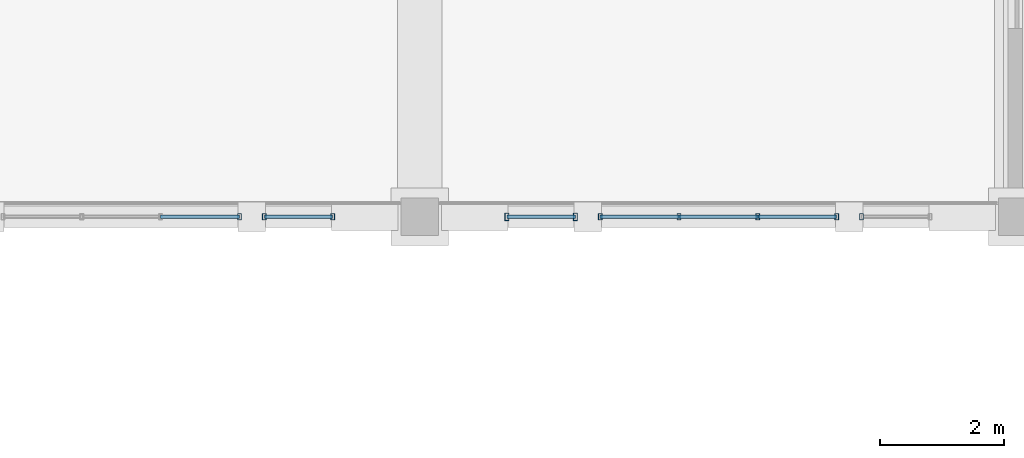
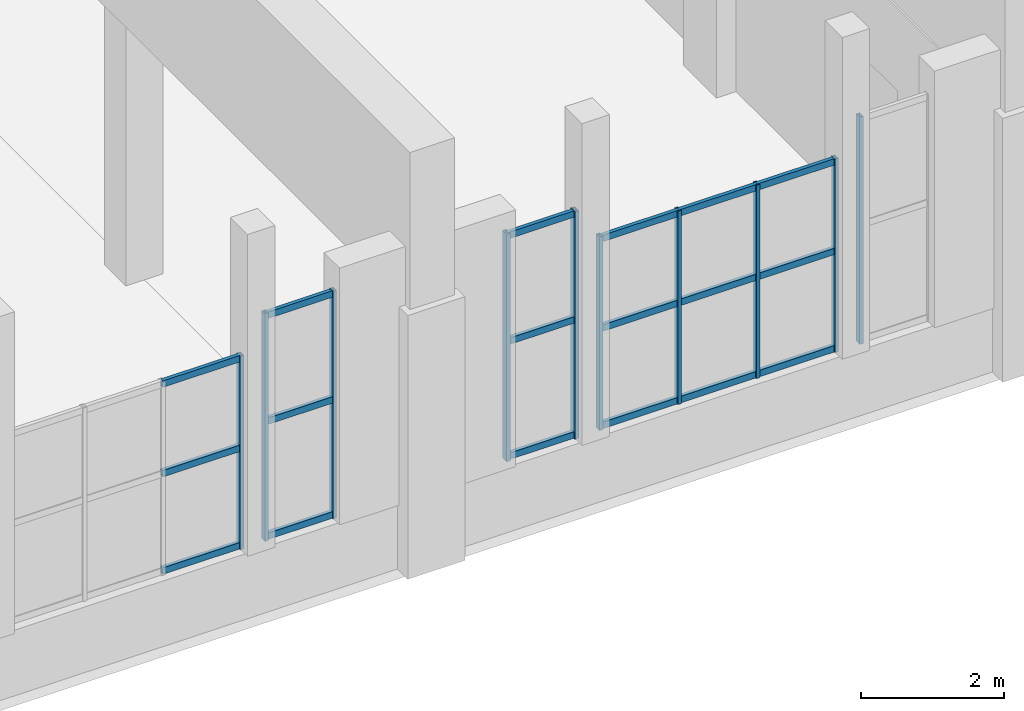
# One storey, part 11 of 46: 28 members, 5 elements without a shape of their own.
"""IFC4 building model written with IfcOpenShell, lengths in metres."""

from ifc_helpers import new_model, si_unit, direction, frame, origin, origin_2d, place, context, subcontext, project, spatial, hollow_rectangle, extrude, material, material_profile, profile_set, type_object, element, aggregate, save


model = new_model("IFC4")

# Units and contexts
model_context = context("Model", 3, precision=1e-05, world=origin(), true_north=direction((0.0, 1.0)))
body_context = subcontext(model_context, "Body", "Model", "MODEL_VIEW")
ifc_project = project(units=[si_unit("LENGTHUNIT", "METRE"), si_unit("AREAUNIT", "SQUARE_METRE"), si_unit("VOLUMEUNIT", "CUBIC_METRE"), si_unit("PLANEANGLEUNIT", "RADIAN"), si_unit("MASSUNIT", "GRAM", prefix="KILO")], contexts=[model_context])

# Site, building, storey
site_placement = place(None, origin())
site = spatial("IfcSite", under=ifc_project, at=site_placement, CompositionType="ELEMENT")
building_placement = place(site_placement, origin())
building = spatial("IfcBuilding", under=site, at=building_placement, Name="Mavantir Sound Aquarium", CompositionType="ELEMENT")
storey_placement = place(building_placement, frame((0.0, 0.0, 15.300048828125)))
storey = spatial("IfcBuildingStorey", under=building, at=storey_placement, Name="L03", CompositionType="ELEMENT", Elevation=15.300048828125)

# Curtain wall, member
ifc_material_1 = material(Name="Anodised Marine Aluminium and Low-E Glass", Category="aluminium")
curtain_wall_type_1 = type_object("IfcCurtainWallType", Name="CW-T04", PredefinedType="USERDEFINED", material=ifc_material_1)
curtain_wall_1_placement = place(storey_placement, origin())
curtain_wall_1 = element("IfcCurtainWall", 1, at=curtain_wall_1_placement, inside=storey, type_object=curtain_wall_type_1, Name="L03 unitised curtain wall CW-04 171", ObjectType="UNITISED GLAZING", PredefinedType="USERDEFINED")
ifc_material_2 = material(Name="Anodised Marine Aluminium 6063-T6", Category="aluminium")
ifc_material_profile_1 = material_profile(ifc_material_2, hollow_rectangle(XDim=0.06005859375, YDim=0.10009765625, WallThickness=0.00390625, at=origin_2d()), Name="ALU-MULLION-100X60")
ifc_profile_set_1 = profile_set([ifc_material_profile_1], Name="Anodised Marine Aluminium 6063-T6")
member_type_1 = type_object("IfcMemberType", Name="CW-MUL-100", PredefinedType="MULLION", material=ifc_profile_set_1)
member_1_placement = place(storey_placement, frame((162.699951171875, 40.800048828125, 1.119873046875), z_axis=(0.0, 0.0, 1.0), x_axis=(1.0, 0.0, 0.0)))
member_1 = element("IfcMember", 2, at=member_1_placement, type_object=member_type_1, Name="CW-DIOC-6S-C vertical mullion 4", PredefinedType="MULLION", context=body_context, shape_type="SweptSolid", body=[
    extrude(hollow_rectangle(XDim=0.06005859375, YDim=0.10009765625, WallThickness=0.00390625, at=origin_2d()), origin(), (0.0, 0.0, 1.0), 3.300048828125),
])

# Curtain wall, members
curtain_wall_type_2 = type_object("IfcCurtainWallType", Name="CW-T06", PredefinedType="USERDEFINED", material=ifc_material_1)
curtain_wall_2_placement = place(storey_placement, origin())
curtain_wall_2 = element("IfcCurtainWall", 3, at=curtain_wall_2_placement, inside=storey, type_object=curtain_wall_type_2, Name="L03 unitised curtain wall CW-06 173", ObjectType="UNITISED GLAZING", PredefinedType="USERDEFINED")
member_2_placement = place(storey_placement, frame((163.10009765625, 40.800048828125, 1.119873046875), z_axis=(0.0, 0.0, 1.0), x_axis=(1.0, 0.0, 0.0)))
member_2 = element("IfcMember", 4, at=member_2_placement, type_object=member_type_1, Name="CW-DIOC-6S-R vertical mullion 1", PredefinedType="MULLION", context=body_context, shape_type="SweptSolid", body=[
    extrude(hollow_rectangle(XDim=0.06005859375, YDim=0.10009765625, WallThickness=0.00390625, at=origin_2d()), origin(), (0.0, 0.0, 1.0), 3.880126953125),
])
member_3_placement = place(storey_placement, frame((164.199951171875, 40.800048828125, 1.119873046875), z_axis=(0.0, 0.0, 1.0), x_axis=(1.0, 0.0, 0.0)))
member_3 = element("IfcMember", 5, at=member_3_placement, type_object=member_type_1, Name="CW-DIOC-6S-R vertical mullion 2", PredefinedType="MULLION", context=body_context, shape_type="SweptSolid", body=[
    extrude(hollow_rectangle(XDim=0.06005859375, YDim=0.10009765625, WallThickness=0.00390625, at=origin_2d()), origin(), (0.0, 0.0, 1.0), 3.880126953125),
])

curtain_wall_type_3 = type_object("IfcCurtainWallType", Name="CW-T10", PredefinedType="USERDEFINED", material=ifc_material_1)
curtain_wall_3_placement = place(storey_placement, origin())
curtain_wall_3 = element("IfcCurtainWall", 6, at=curtain_wall_3_placement, inside=storey, type_object=curtain_wall_type_3, Name="L03 unitised curtain wall CW-10 177", ObjectType="UNITISED GLAZING", PredefinedType="USERDEFINED")
member_4_placement = place(storey_placement, frame((168.5, 40.800048828125, 1.119873046875), z_axis=(0.0, 0.0, 1.0), x_axis=(1.0, 0.0, 0.0)))
member_4 = element("IfcMember", 7, at=member_4_placement, type_object=member_type_1, Name="CW-DIOC-7S-C vertical mullion 1", PredefinedType="MULLION", context=body_context, shape_type="SweptSolid", body=[
    extrude(hollow_rectangle(XDim=0.06005859375, YDim=0.10009765625, WallThickness=0.00390625, at=origin_2d()), origin(), (0.0, 0.0, 1.0), 3.300048828125),
])
member_5_placement = place(storey_placement, frame((169.7666015625, 40.800048828125, 1.119873046875), z_axis=(0.0, 0.0, 1.0), x_axis=(1.0, 0.0, 0.0)))
member_5 = element("IfcMember", 8, at=member_5_placement, type_object=member_type_1, Name="CW-DIOC-7S-C vertical mullion 2", PredefinedType="MULLION", context=body_context, shape_type="SweptSolid", body=[
    extrude(hollow_rectangle(XDim=0.06005859375, YDim=0.10009765625, WallThickness=0.00390625, at=origin_2d()), origin(), (0.0, 0.0, 1.0), 3.300048828125),
])
member_6_placement = place(storey_placement, frame((171.033203125, 40.800048828125, 1.119873046875), z_axis=(0.0, 0.0, 1.0), x_axis=(1.0, 0.0, 0.0)))
member_6 = element("IfcMember", 9, at=member_6_placement, type_object=member_type_1, Name="CW-DIOC-7S-C vertical mullion 3", PredefinedType="MULLION", context=body_context, shape_type="SweptSolid", body=[
    extrude(hollow_rectangle(XDim=0.06005859375, YDim=0.10009765625, WallThickness=0.00390625, at=origin_2d()), origin(), (0.0, 0.0, 1.0), 3.300048828125),
])
member_7_placement = place(storey_placement, frame((172.300048828125, 40.800048828125, 1.119873046875), z_axis=(0.0, 0.0, 1.0), x_axis=(1.0, 0.0, 0.0)))
member_7 = element("IfcMember", 10, at=member_7_placement, type_object=member_type_1, Name="CW-DIOC-7S-C vertical mullion 4", PredefinedType="MULLION", context=body_context, shape_type="SweptSolid", body=[
    extrude(hollow_rectangle(XDim=0.06005859375, YDim=0.10009765625, WallThickness=0.00390625, at=origin_2d()), origin(), (0.0, 0.0, 1.0), 3.300048828125),
])

# Curtain wall, member
curtain_wall_type_4 = type_object("IfcCurtainWallType", Name="CW-T12", PredefinedType="USERDEFINED", material=ifc_material_1)
curtain_wall_4_placement = place(storey_placement, origin())
curtain_wall_4 = element("IfcCurtainWall", 11, at=curtain_wall_4_placement, inside=storey, type_object=curtain_wall_type_4, Name="L03 unitised curtain wall CW-12 179", ObjectType="UNITISED GLAZING", PredefinedType="USERDEFINED")
member_8_placement = place(storey_placement, frame((172.699951171875, 40.800048828125, 1.119873046875), z_axis=(0.0, 0.0, 1.0), x_axis=(1.0, 0.0, 0.0)))
member_8 = element("IfcMember", 12, at=member_8_placement, type_object=member_type_1, Name="CW-DIOC-7S-R vertical mullion 1", PredefinedType="MULLION", context=body_context, shape_type="SweptSolid", body=[
    extrude(hollow_rectangle(XDim=0.06005859375, YDim=0.10009765625, WallThickness=0.00390625, at=origin_2d()), origin(), (0.0, 0.0, 1.0), 3.880126953125),
])
aggregate(curtain_wall_4, [member_8])

# Curtain wall, members
curtain_wall_type_5 = type_object("IfcCurtainWallType", Name="CW-T11", PredefinedType="USERDEFINED", material=ifc_material_1)
curtain_wall_5_placement = place(storey_placement, origin())
curtain_wall_5 = element("IfcCurtainWall", 13, at=curtain_wall_5_placement, inside=storey, type_object=curtain_wall_type_5, Name="L03 unitised curtain wall CW-11 178", ObjectType="UNITISED GLAZING", PredefinedType="USERDEFINED")
ifc_material_profile_2 = material_profile(ifc_material_2, hollow_rectangle(XDim=0.06494140625, YDim=0.1201171875, WallThickness=0.00390625, at=origin_2d()), Name="ALU-MULLION-120X65")
ifc_profile_set_2 = profile_set([ifc_material_profile_2], Name="Anodised Marine Aluminium 6063-T6")
member_type_2 = type_object("IfcMemberType", Name="CW-MUL-120", PredefinedType="MULLION", material=ifc_profile_set_2)
member_9_placement = place(storey_placement, frame((167.0, 40.800048828125, 1.119873046875), z_axis=(0.0, 0.0, 1.0), x_axis=(1.0, 0.0, 0.0)))
member_9 = element("IfcMember", 14, at=member_9_placement, type_object=member_type_2, Name="CW-DIOC-7S-L vertical mullion 1", PredefinedType="MULLION", context=body_context, shape_type="SweptSolid", body=[
    extrude(hollow_rectangle(XDim=0.06494140625, YDim=0.1201171875, WallThickness=0.00390625, at=origin_2d()), origin(), (0.0, 0.0, 1.0), 3.880126953125),
])
member_10_placement = place(storey_placement, frame((168.10009765625, 40.800048828125, 1.119873046875), z_axis=(0.0, 0.0, 1.0), x_axis=(1.0, 0.0, 0.0)))
member_10 = element("IfcMember", 15, at=member_10_placement, type_object=member_type_2, Name="CW-DIOC-7S-L vertical mullion 2", PredefinedType="MULLION", context=body_context, shape_type="SweptSolid", body=[
    extrude(hollow_rectangle(XDim=0.06494140625, YDim=0.1201171875, WallThickness=0.00390625, at=origin_2d()), origin(), (0.0, 0.0, 1.0), 3.880126953125),
])

# Member
ifc_material_profile_3 = material_profile(ifc_material_2, hollow_rectangle(XDim=0.06005859375, YDim=0.110107421875, WallThickness=0.00390625, at=origin_2d()), Name="ALU-TRANSOM-110X60")
ifc_profile_set_3 = profile_set([ifc_material_profile_3], Name="Anodised Marine Aluminium 6063-T6")
member_type_3 = type_object("IfcMemberType", Name="CW-TRN-110", PredefinedType="USERDEFINED", material=ifc_profile_set_3)
member_11_placement = place(storey_placement, frame((161.433349609375, 40.800048828125, 1.175048828125), z_axis=(1.0, 0.0, 0.0), x_axis=(0.0, 1.0, 0.0)))
member_11 = element("IfcMember", 16, at=member_11_placement, type_object=member_type_3, Name="CW-DIOC-6S-C transom 3.1", ObjectType="TRANSOM", PredefinedType="USERDEFINED", context=body_context, shape_type="SweptSolid", body=[
    extrude(hollow_rectangle(XDim=0.06005859375, YDim=0.110107421875, WallThickness=0.00390625, at=origin_2d()), origin(), (0.0, 0.0, 1.0), 1.2666015625),
])

member_12_placement = place(storey_placement, frame((161.433349609375, 40.800048828125, 2.8359375), z_axis=(1.0, 0.0, 0.0), x_axis=(0.0, 1.0, 0.0)))
member_12 = element("IfcMember", 17, at=member_12_placement, type_object=member_type_3, Name="CW-DIOC-6S-C transom 3.2", ObjectType="TRANSOM", PredefinedType="USERDEFINED", context=body_context, shape_type="SweptSolid", body=[
    extrude(hollow_rectangle(XDim=0.06005859375, YDim=0.110107421875, WallThickness=0.00390625, at=origin_2d()), origin(), (0.0, 0.0, 1.0), 1.2666015625),
])

member_13_placement = place(storey_placement, frame((161.433349609375, 40.800048828125, 4.364990234375), z_axis=(1.0, 0.0, 0.0), x_axis=(0.0, 1.0, 0.0)))
member_13 = element("IfcMember", 18, at=member_13_placement, type_object=member_type_3, Name="CW-DIOC-6S-C transom 3.3", ObjectType="TRANSOM", PredefinedType="USERDEFINED", context=body_context, shape_type="SweptSolid", body=[
    extrude(hollow_rectangle(XDim=0.06005859375, YDim=0.110107421875, WallThickness=0.00390625, at=origin_2d()), origin(), (0.0, 0.0, 1.0), 1.2666015625),
])

aggregate(curtain_wall_1, [member_1, member_11, member_12, member_13])

member_14_placement = place(storey_placement, frame((163.10009765625, 40.800048828125, 1.175048828125), z_axis=(1.0, 0.0, 0.0), x_axis=(0.0, 1.0, 0.0)))
member_14 = element("IfcMember", 19, at=member_14_placement, type_object=member_type_3, Name="CW-DIOC-6S-R transom 1.1", ObjectType="TRANSOM", PredefinedType="USERDEFINED", context=body_context, shape_type="SweptSolid", body=[
    extrude(hollow_rectangle(XDim=0.06005859375, YDim=0.110107421875, WallThickness=0.00390625, at=origin_2d()), origin(), (0.0, 0.0, 1.0), 1.099853515625),
])

member_15_placement = place(storey_placement, frame((163.10009765625, 40.800048828125, 3.137451171875), z_axis=(1.0, 0.0, 0.0), x_axis=(0.0, 1.0, 0.0)))
member_15 = element("IfcMember", 20, at=member_15_placement, type_object=member_type_3, Name="CW-DIOC-6S-R transom 1.2", ObjectType="TRANSOM", PredefinedType="USERDEFINED", context=body_context, shape_type="SweptSolid", body=[
    extrude(hollow_rectangle(XDim=0.06005859375, YDim=0.110107421875, WallThickness=0.00390625, at=origin_2d()), origin(), (0.0, 0.0, 1.0), 1.099853515625),
])

member_16_placement = place(storey_placement, frame((163.10009765625, 40.800048828125, 4.945068359375), z_axis=(1.0, 0.0, 0.0), x_axis=(0.0, 1.0, 0.0)))
member_16 = element("IfcMember", 21, at=member_16_placement, type_object=member_type_3, Name="CW-DIOC-6S-R transom 1.3", ObjectType="TRANSOM", PredefinedType="USERDEFINED", context=body_context, shape_type="SweptSolid", body=[
    extrude(hollow_rectangle(XDim=0.06005859375, YDim=0.110107421875, WallThickness=0.00390625, at=origin_2d()), origin(), (0.0, 0.0, 1.0), 1.099853515625),
])

aggregate(curtain_wall_2, [member_2, member_3, member_14, member_15, member_16])

member_17_placement = place(storey_placement, frame((168.5, 40.800048828125, 1.175048828125), z_axis=(1.0, 0.0, 0.0), x_axis=(0.0, 1.0, 0.0)))
member_17 = element("IfcMember", 22, at=member_17_placement, type_object=member_type_3, Name="CW-DIOC-7S-C transom 1.1", ObjectType="TRANSOM", PredefinedType="USERDEFINED", context=body_context, shape_type="SweptSolid", body=[
    extrude(hollow_rectangle(XDim=0.06005859375, YDim=0.110107421875, WallThickness=0.00390625, at=origin_2d()), origin(), (0.0, 0.0, 1.0), 1.2666015625),
])

member_18_placement = place(storey_placement, frame((168.5, 40.800048828125, 2.8359375), z_axis=(1.0, 0.0, 0.0), x_axis=(0.0, 1.0, 0.0)))
member_18 = element("IfcMember", 23, at=member_18_placement, type_object=member_type_3, Name="CW-DIOC-7S-C transom 1.2", ObjectType="TRANSOM", PredefinedType="USERDEFINED", context=body_context, shape_type="SweptSolid", body=[
    extrude(hollow_rectangle(XDim=0.06005859375, YDim=0.110107421875, WallThickness=0.00390625, at=origin_2d()), origin(), (0.0, 0.0, 1.0), 1.2666015625),
])

member_19_placement = place(storey_placement, frame((168.5, 40.800048828125, 4.364990234375), z_axis=(1.0, 0.0, 0.0), x_axis=(0.0, 1.0, 0.0)))
member_19 = element("IfcMember", 24, at=member_19_placement, type_object=member_type_3, Name="CW-DIOC-7S-C transom 1.3", ObjectType="TRANSOM", PredefinedType="USERDEFINED", context=body_context, shape_type="SweptSolid", body=[
    extrude(hollow_rectangle(XDim=0.06005859375, YDim=0.110107421875, WallThickness=0.00390625, at=origin_2d()), origin(), (0.0, 0.0, 1.0), 1.2666015625),
])

member_20_placement = place(storey_placement, frame((169.7666015625, 40.800048828125, 1.175048828125), z_axis=(1.0, 0.0, 0.0), x_axis=(0.0, 1.0, 0.0)))
member_20 = element("IfcMember", 25, at=member_20_placement, type_object=member_type_3, Name="CW-DIOC-7S-C transom 2.1", ObjectType="TRANSOM", PredefinedType="USERDEFINED", context=body_context, shape_type="SweptSolid", body=[
    extrude(hollow_rectangle(XDim=0.06005859375, YDim=0.110107421875, WallThickness=0.00390625, at=origin_2d()), origin(), (0.0, 0.0, 1.0), 1.2666015625),
])

member_21_placement = place(storey_placement, frame((169.7666015625, 40.800048828125, 2.8359375), z_axis=(1.0, 0.0, 0.0), x_axis=(0.0, 1.0, 0.0)))
member_21 = element("IfcMember", 26, at=member_21_placement, type_object=member_type_3, Name="CW-DIOC-7S-C transom 2.2", ObjectType="TRANSOM", PredefinedType="USERDEFINED", context=body_context, shape_type="SweptSolid", body=[
    extrude(hollow_rectangle(XDim=0.06005859375, YDim=0.110107421875, WallThickness=0.00390625, at=origin_2d()), origin(), (0.0, 0.0, 1.0), 1.2666015625),
])

member_22_placement = place(storey_placement, frame((169.7666015625, 40.800048828125, 4.364990234375), z_axis=(1.0, 0.0, 0.0), x_axis=(0.0, 1.0, 0.0)))
member_22 = element("IfcMember", 27, at=member_22_placement, type_object=member_type_3, Name="CW-DIOC-7S-C transom 2.3", ObjectType="TRANSOM", PredefinedType="USERDEFINED", context=body_context, shape_type="SweptSolid", body=[
    extrude(hollow_rectangle(XDim=0.06005859375, YDim=0.110107421875, WallThickness=0.00390625, at=origin_2d()), origin(), (0.0, 0.0, 1.0), 1.2666015625),
])

member_23_placement = place(storey_placement, frame((171.033203125, 40.800048828125, 1.175048828125), z_axis=(1.0, 0.0, 0.0), x_axis=(0.0, 1.0, 0.0)))
member_23 = element("IfcMember", 28, at=member_23_placement, type_object=member_type_3, Name="CW-DIOC-7S-C transom 3.1", ObjectType="TRANSOM", PredefinedType="USERDEFINED", context=body_context, shape_type="SweptSolid", body=[
    extrude(hollow_rectangle(XDim=0.06005859375, YDim=0.110107421875, WallThickness=0.00390625, at=origin_2d()), origin(), (0.0, 0.0, 1.0), 1.266845703125),
])

member_24_placement = place(storey_placement, frame((171.033203125, 40.800048828125, 2.8359375), z_axis=(1.0, 0.0, 0.0), x_axis=(0.0, 1.0, 0.0)))
member_24 = element("IfcMember", 29, at=member_24_placement, type_object=member_type_3, Name="CW-DIOC-7S-C transom 3.2", ObjectType="TRANSOM", PredefinedType="USERDEFINED", context=body_context, shape_type="SweptSolid", body=[
    extrude(hollow_rectangle(XDim=0.06005859375, YDim=0.110107421875, WallThickness=0.00390625, at=origin_2d()), origin(), (0.0, 0.0, 1.0), 1.266845703125),
])

member_25_placement = place(storey_placement, frame((171.033203125, 40.800048828125, 4.364990234375), z_axis=(1.0, 0.0, 0.0), x_axis=(0.0, 1.0, 0.0)))
member_25 = element("IfcMember", 30, at=member_25_placement, type_object=member_type_3, Name="CW-DIOC-7S-C transom 3.3", ObjectType="TRANSOM", PredefinedType="USERDEFINED", context=body_context, shape_type="SweptSolid", body=[
    extrude(hollow_rectangle(XDim=0.06005859375, YDim=0.110107421875, WallThickness=0.00390625, at=origin_2d()), origin(), (0.0, 0.0, 1.0), 1.266845703125),
])

aggregate(curtain_wall_3, [member_4, member_5, member_6, member_7, member_17, member_18, member_19, member_20, member_21, member_22, member_23, member_24, member_25])

member_26_placement = place(storey_placement, frame((167.0, 40.800048828125, 1.175048828125), z_axis=(1.0, 0.0, 0.0), x_axis=(0.0, 1.0, 0.0)))
member_26 = element("IfcMember", 31, at=member_26_placement, type_object=member_type_3, Name="CW-DIOC-7S-L transom 1.1", ObjectType="TRANSOM", PredefinedType="USERDEFINED", context=body_context, shape_type="SweptSolid", body=[
    extrude(hollow_rectangle(XDim=0.06005859375, YDim=0.110107421875, WallThickness=0.00390625, at=origin_2d()), origin(), (0.0, 0.0, 1.0), 1.10009765625),
])

member_27_placement = place(storey_placement, frame((167.0, 40.800048828125, 3.137451171875), z_axis=(1.0, 0.0, 0.0), x_axis=(0.0, 1.0, 0.0)))
member_27 = element("IfcMember", 32, at=member_27_placement, type_object=member_type_3, Name="CW-DIOC-7S-L transom 1.2", ObjectType="TRANSOM", PredefinedType="USERDEFINED", context=body_context, shape_type="SweptSolid", body=[
    extrude(hollow_rectangle(XDim=0.06005859375, YDim=0.110107421875, WallThickness=0.00390625, at=origin_2d()), origin(), (0.0, 0.0, 1.0), 1.10009765625),
])

member_28_placement = place(storey_placement, frame((167.0, 40.800048828125, 4.945068359375), z_axis=(1.0, 0.0, 0.0), x_axis=(0.0, 1.0, 0.0)))
member_28 = element("IfcMember", 33, at=member_28_placement, type_object=member_type_3, Name="CW-DIOC-7S-L transom 1.3", ObjectType="TRANSOM", PredefinedType="USERDEFINED", context=body_context, shape_type="SweptSolid", body=[
    extrude(hollow_rectangle(XDim=0.06005859375, YDim=0.110107421875, WallThickness=0.00390625, at=origin_2d()), origin(), (0.0, 0.0, 1.0), 1.10009765625),
])

aggregate(curtain_wall_5, [member_9, member_10, member_26, member_27, member_28])

save(model, "model.ifc")
